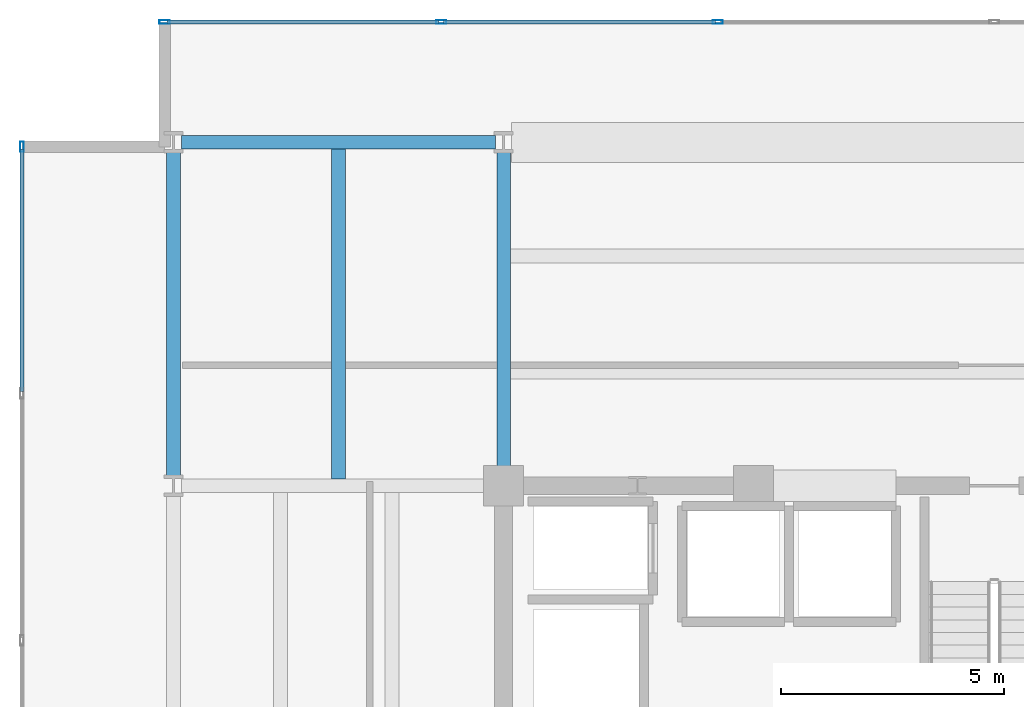
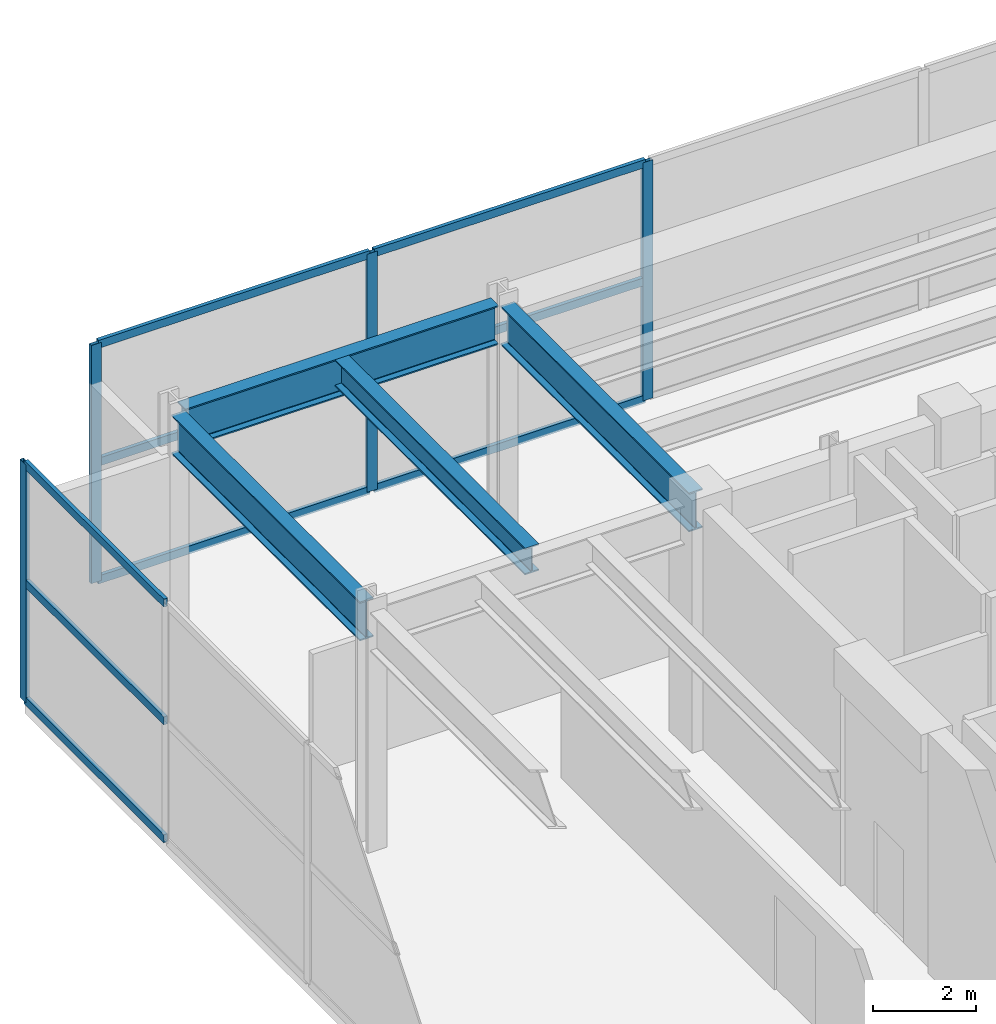
# One storey, part 13 of 21: 13 members, 4 beams, 2 elements without a shape of their own.
"""IFC4 building model written with IfcOpenShell, lengths in metres."""

from ifc_helpers import new_model, si_unit, direction, frame, origin, origin_2d, place, context, subcontext, project, spatial, hollow_rectangle, i_section, extrude, material, material_profile, profile_set, type_object, element, aggregate, save


model = new_model("IFC4")

# Units and contexts
model_context = context("Model", 3, precision=1e-05, world=origin(), true_north=direction((0.0, 1.0)))
body_context = subcontext(model_context, "Body", "Model", "MODEL_VIEW")
ifc_project = project(units=[si_unit("LENGTHUNIT", "METRE"), si_unit("AREAUNIT", "SQUARE_METRE"), si_unit("VOLUMEUNIT", "CUBIC_METRE"), si_unit("PLANEANGLEUNIT", "RADIAN"), si_unit("MASSUNIT", "GRAM", prefix="KILO")], contexts=[model_context])

# Site, building, storey
site_placement = place(None, origin())
site = spatial("IfcSite", under=ifc_project, at=site_placement, CompositionType="ELEMENT")
building_placement = place(site_placement, origin())
building = spatial("IfcBuilding", under=site, at=building_placement, Name="Kovane Verandah Tower", CompositionType="ELEMENT")
storey_placement = place(building_placement, frame((0.0, 0.0, 342.800048828125)))
storey = spatial("IfcBuildingStorey", under=building, at=storey_placement, Name="L80", CompositionType="ELEMENT", Elevation=342.800048828125)

# Beams
ifc_material_1 = material(Name="Steel S460", Category="steel")
ifc_material_profile_1 = material_profile(ifc_material_1, i_section(OverallWidth=0.311279296875, OverallDepth=0.6357421875, WebThickness=0.018310546875, FlangeThickness=0.031494140625, FilletRadius=0.0166015625, at=origin_2d()), Name="UB610x305x238")
ifc_profile_set_1 = profile_set([ifc_material_profile_1], Name="Steel S460")
beam_type_1 = type_object("IfcBeamType", Name="BM-UB610x238", PredefinedType="BEAM", material=ifc_profile_set_1)
beam_1_placement = place(storey_placement, frame((25.300048828125, 36.65185546875, 5.382080078125), z_axis=(0.0, 1.0, 0.0), x_axis=(-1.0, 0.0, 0.0)))
element("IfcBeam", 1, at=beam_1_placement, inside=storey, type_object=beam_type_1, Name="L80 Secondary Composite Joist J-NW1", PredefinedType="BEAM", context=body_context, shape_type="SweptSolid", body=[
    extrude(i_section(OverallWidth=0.311279296875, OverallDepth=0.6357421875, WebThickness=0.018310546875, FlangeThickness=0.031494140625, FilletRadius=0.0166015625, at=origin_2d()), origin(), (0.0, 0.0, 1.0), 7.396240234375),
])
ifc_material_profile_2 = material_profile(ifc_material_1, i_section(OverallWidth=0.3076171875, OverallDepth=0.926513671875, WebThickness=0.01953125, FlangeThickness=0.031982421875, FilletRadius=0.01904296875, at=origin_2d()), Name="UB914x305x289")
ifc_profile_set_2 = profile_set([ifc_material_profile_2], Name="Steel S460")
beam_type_2 = type_object("IfcBeamType", Name="BM-UB914x289", PredefinedType="BEAM", material=ifc_profile_set_2)
beam_2_placement = place(storey_placement, frame((21.780029296875, 44.199951171875, 5.236572265625), z_axis=(1.0, 0.0, 0.0), x_axis=(0.0, 1.0, 0.0)))
element("IfcBeam", 2, at=beam_2_placement, inside=storey, type_object=beam_type_2, Name="L80 Primary Tower Girder G-RN1", PredefinedType="BEAM", context=body_context, shape_type="SweptSolid", body=[
    extrude(i_section(OverallWidth=0.3076171875, OverallDepth=0.926513671875, WebThickness=0.01953125, FlangeThickness=0.031982421875, FilletRadius=0.01904296875, at=origin_2d()), origin(), (0.0, 0.0, 1.0), 7.0400390625),
])
for number, where, z_axis, x_axis, name in (
    (3, (21.60009765625, 36.679931640625, 5.236572265625), (0.0, 1.0, 0.0), (-1.0, 0.0, 0.0), "L80 Primary Tower Girder G-RW3"),
    (4, (29.0, 36.679931640625, 5.236572265625), (0.0, 1.0, 0.0), (-1.0, 0.0, 0.0), "L80 Primary Tower Girder G-N1"),
):
    element("IfcBeam", number, at=place(storey_placement, frame(where, z_axis=z_axis, x_axis=x_axis)), inside=storey, type_object=beam_type_2, Name=name, PredefinedType="BEAM", context=body_context, shape_type="SweptSolid", body=[
        extrude(i_section(OverallWidth=0.3076171875, OverallDepth=0.926513671875, WebThickness=0.01953125, FlangeThickness=0.031982421875, FilletRadius=0.01904296875, at=origin_2d()), origin(), (0.0, 0.0, 1.0), 7.340087890625),
    ])

# Curtain wall, members
ifc_material_2 = material(Name="Champagne Anodised Aluminium Frame with Low-E Clear Laminated Glass", Category="aluminium")
curtain_wall_type = type_object("IfcCurtainWallType", Name="CW-SYS-06-CROWN", PredefinedType="NOTDEFINED", material=ifc_material_2)
curtain_wall_1_placement = place(storey_placement, origin())
curtain_wall_1 = element("IfcCurtainWall", 5, at=curtain_wall_1_placement, inside=storey, type_object=curtain_wall_type, Name="L80 N Unitised Curtain Wall", PredefinedType="NOTDEFINED")
ifc_material_3 = material(Name="Champagne Anodised Aluminium 6063-T6", Category="aluminium")
ifc_material_profile_3 = material_profile(ifc_material_3, hollow_rectangle(XDim=0.0849609375, YDim=0.22998046875, WallThickness=0.00390625, at=origin_2d()), Name="AL85x230x4")
ifc_profile_set_3 = profile_set([ifc_material_profile_3], Name="Champagne Anodised Aluminium 6063-T6")
member_type_1 = type_object("IfcMemberType", Name="CW-MUL-85x230", PredefinedType="MULLION", material=ifc_profile_set_3)
member_1_placement = place(storey_placement, frame((33.800048828125, 46.89990234375, 0.02001953125), z_axis=(0.0, 0.0, 1.0), x_axis=(0.0, 1.0, 0.0)))
member_1 = element("IfcMember", 6, at=member_1_placement, type_object=member_type_1, Name="L80 N Unitised Curtain Wall Mullion 5", PredefinedType="MULLION", context=body_context, shape_type="SweptSolid", body=[
    extrude(hollow_rectangle(XDim=0.0849609375, YDim=0.22998046875, WallThickness=0.00390625, at=origin_2d()), origin(), (0.0, 0.0, 1.0), 5.659912109375),
])
member_2_placement = place(storey_placement, frame((27.60009765625, 46.89990234375, 0.02001953125), z_axis=(0.0, 0.0, 1.0), x_axis=(0.0, 1.0, 0.0)))
member_2 = element("IfcMember", 7, at=member_2_placement, type_object=member_type_1, Name="L80 N Unitised Curtain Wall Mullion 6", PredefinedType="MULLION", context=body_context, shape_type="SweptSolid", body=[
    extrude(hollow_rectangle(XDim=0.0849609375, YDim=0.22998046875, WallThickness=0.00390625, at=origin_2d()), origin(), (0.0, 0.0, 1.0), 5.659912109375),
])
member_3_placement = place(storey_placement, frame((21.39990234375, 46.89990234375, 0.02001953125), z_axis=(0.0, 0.0, 1.0), x_axis=(0.0, 1.0, 0.0)))
member_3 = element("IfcMember", 8, at=member_3_placement, type_object=member_type_1, Name="L80 N Unitised Curtain Wall Mullion 7", PredefinedType="MULLION", context=body_context, shape_type="SweptSolid", body=[
    extrude(hollow_rectangle(XDim=0.0849609375, YDim=0.22998046875, WallThickness=0.00390625, at=origin_2d()), origin(), (0.0, 0.0, 1.0), 5.659912109375),
])

# Curtain wall, member
curtain_wall_2_placement = place(storey_placement, origin())
curtain_wall_2 = element("IfcCurtainWall", 9, at=curtain_wall_2_placement, inside=storey, type_object=curtain_wall_type, Name="L80 W Unitised Curtain Wall", PredefinedType="NOTDEFINED")
member_4_placement = place(storey_placement, frame((18.199951171875, 44.10009765625, 0.02001953125), z_axis=(0.0, 0.0, 1.0), x_axis=(-1.0, 0.0, 0.0)))
member_4 = element("IfcMember", 10, at=member_4_placement, type_object=member_type_1, Name="L80 W Unitised Curtain Wall Mullion 1", PredefinedType="MULLION", context=body_context, shape_type="SweptSolid", body=[
    extrude(hollow_rectangle(XDim=0.0849609375, YDim=0.22998046875, WallThickness=0.00390625, at=origin_2d()), origin(), (0.0, 0.0, 1.0), 5.659912109375),
])

# Member
ifc_material_profile_4 = material_profile(ifc_material_3, hollow_rectangle(XDim=0.0849609375, YDim=0.18994140625, WallThickness=0.00390625, at=origin_2d()), Name="AL85x190x4")
ifc_profile_set_4 = profile_set([ifc_material_profile_4], Name="Champagne Anodised Aluminium 6063-T6")
member_type_2 = type_object("IfcMemberType", Name="CW-TRN-85x190", PredefinedType="USERDEFINED", material=ifc_profile_set_4)
member_5_placement = place(storey_placement, frame((33.75, 46.89990234375, 0.050048828125), z_axis=(-1.0, 0.0, 0.0), x_axis=(0.0, -1.0, 0.0)))
member_5 = element("IfcMember", 11, at=member_5_placement, type_object=member_type_2, Name="L80 N Unitised Curtain Wall Transom TB Bay 5", ObjectType="TRANSOM", PredefinedType="USERDEFINED", context=body_context, shape_type="SweptSolid", body=[
    extrude(hollow_rectangle(XDim=0.0849609375, YDim=0.18994140625, WallThickness=0.00390625, at=origin_2d()), origin(), (0.0, 0.0, 1.0), 6.10009765625),
])

member_6_placement = place(storey_placement, frame((33.75, 46.89990234375, 2.849853515625), z_axis=(-1.0, 0.0, 0.0), x_axis=(0.0, -1.0, 0.0)))
member_6 = element("IfcMember", 12, at=member_6_placement, type_object=member_type_2, Name="L80 N Unitised Curtain Wall Transom TM Bay 5", ObjectType="TRANSOM", PredefinedType="USERDEFINED", context=body_context, shape_type="SweptSolid", body=[
    extrude(hollow_rectangle(XDim=0.0849609375, YDim=0.18994140625, WallThickness=0.00390625, at=origin_2d()), origin(), (0.0, 0.0, 1.0), 6.10009765625),
])

member_7_placement = place(storey_placement, frame((33.75, 46.89990234375, 5.64990234375), z_axis=(-1.0, 0.0, 0.0), x_axis=(0.0, -1.0, 0.0)))
member_7 = element("IfcMember", 13, at=member_7_placement, type_object=member_type_2, Name="L80 N Unitised Curtain Wall Transom TT Bay 5", ObjectType="TRANSOM", PredefinedType="USERDEFINED", context=body_context, shape_type="SweptSolid", body=[
    extrude(hollow_rectangle(XDim=0.0849609375, YDim=0.18994140625, WallThickness=0.00390625, at=origin_2d()), origin(), (0.0, 0.0, 1.0), 6.10009765625),
])

member_8_placement = place(storey_placement, frame((27.550048828125, 46.89990234375, 0.050048828125), z_axis=(-1.0, 0.0, 0.0), x_axis=(0.0, -1.0, 0.0)))
member_8 = element("IfcMember", 14, at=member_8_placement, type_object=member_type_2, Name="L80 N Unitised Curtain Wall Transom TB Bay 6", ObjectType="TRANSOM", PredefinedType="USERDEFINED", context=body_context, shape_type="SweptSolid", body=[
    extrude(hollow_rectangle(XDim=0.0849609375, YDim=0.18994140625, WallThickness=0.00390625, at=origin_2d()), origin(), (0.0, 0.0, 1.0), 6.10009765625),
])

member_9_placement = place(storey_placement, frame((27.550048828125, 46.89990234375, 2.849853515625), z_axis=(-1.0, 0.0, 0.0), x_axis=(0.0, -1.0, 0.0)))
member_9 = element("IfcMember", 15, at=member_9_placement, type_object=member_type_2, Name="L80 N Unitised Curtain Wall Transom TM Bay 6", ObjectType="TRANSOM", PredefinedType="USERDEFINED", context=body_context, shape_type="SweptSolid", body=[
    extrude(hollow_rectangle(XDim=0.0849609375, YDim=0.18994140625, WallThickness=0.00390625, at=origin_2d()), origin(), (0.0, 0.0, 1.0), 6.10009765625),
])

member_10_placement = place(storey_placement, frame((27.550048828125, 46.89990234375, 5.64990234375), z_axis=(-1.0, 0.0, 0.0), x_axis=(0.0, -1.0, 0.0)))
member_10 = element("IfcMember", 16, at=member_10_placement, type_object=member_type_2, Name="L80 N Unitised Curtain Wall Transom TT Bay 6", ObjectType="TRANSOM", PredefinedType="USERDEFINED", context=body_context, shape_type="SweptSolid", body=[
    extrude(hollow_rectangle(XDim=0.0849609375, YDim=0.18994140625, WallThickness=0.00390625, at=origin_2d()), origin(), (0.0, 0.0, 1.0), 6.10009765625),
])

aggregate(curtain_wall_1, [member_1, member_2, member_3, member_5, member_6, member_7, member_8, member_9, member_10])

member_11_placement = place(storey_placement, frame((18.199951171875, 44.050048828125, 0.050048828125), z_axis=(0.0, -1.0, 0.0), x_axis=(1.0, 0.0, 0.0)))
member_11 = element("IfcMember", 17, at=member_11_placement, type_object=member_type_2, Name="L80 W Unitised Curtain Wall Transom TB Bay 1", ObjectType="TRANSOM", PredefinedType="USERDEFINED", context=body_context, shape_type="SweptSolid", body=[
    extrude(hollow_rectangle(XDim=0.0849609375, YDim=0.18994140625, WallThickness=0.00390625, at=origin_2d()), origin(), (0.0, 0.0, 1.0), 5.433349609375),
])

member_12_placement = place(storey_placement, frame((18.199951171875, 44.050048828125, 2.849853515625), z_axis=(0.0, -1.0, 0.0), x_axis=(1.0, 0.0, 0.0)))
member_12 = element("IfcMember", 18, at=member_12_placement, type_object=member_type_2, Name="L80 W Unitised Curtain Wall Transom TM Bay 1", ObjectType="TRANSOM", PredefinedType="USERDEFINED", context=body_context, shape_type="SweptSolid", body=[
    extrude(hollow_rectangle(XDim=0.0849609375, YDim=0.18994140625, WallThickness=0.00390625, at=origin_2d()), origin(), (0.0, 0.0, 1.0), 5.433349609375),
])

member_13_placement = place(storey_placement, frame((18.199951171875, 44.050048828125, 5.64990234375), z_axis=(0.0, -1.0, 0.0), x_axis=(1.0, 0.0, 0.0)))
member_13 = element("IfcMember", 19, at=member_13_placement, type_object=member_type_2, Name="L80 W Unitised Curtain Wall Transom TT Bay 1", ObjectType="TRANSOM", PredefinedType="USERDEFINED", context=body_context, shape_type="SweptSolid", body=[
    extrude(hollow_rectangle(XDim=0.0849609375, YDim=0.18994140625, WallThickness=0.00390625, at=origin_2d()), origin(), (0.0, 0.0, 1.0), 5.433349609375),
])

aggregate(curtain_wall_2, [member_4, member_11, member_12, member_13])

save(model, "model.ifc")
